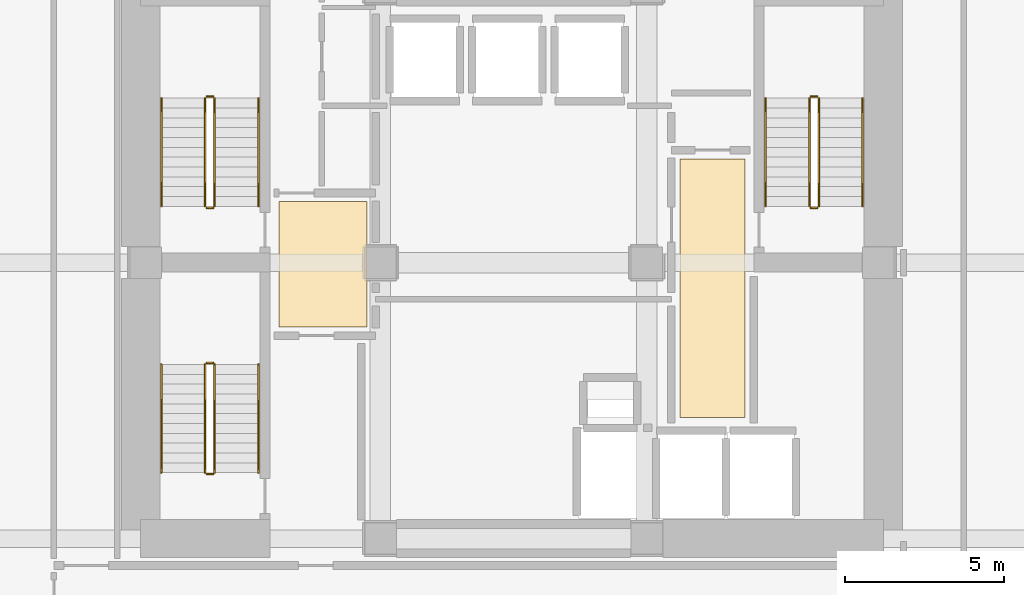
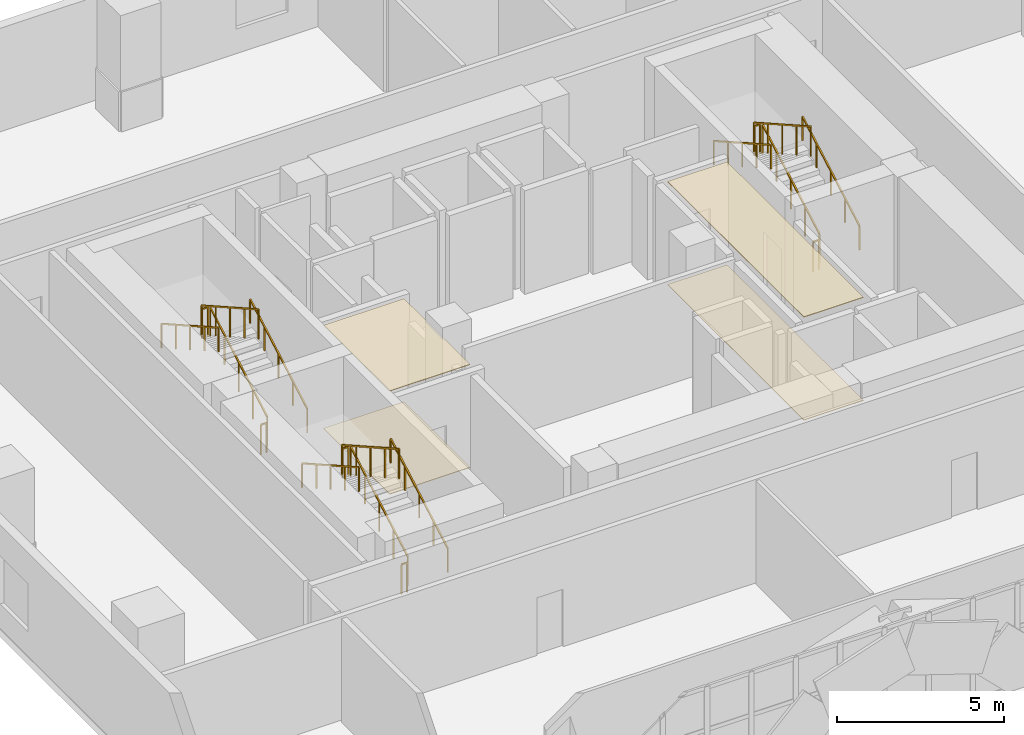
# One storey, part 20 of 22: 18 railings, 4 coverings.
"""IFC4 building model written with IfcOpenShell, lengths in metres."""

from ifc_helpers import new_model, si_unit, direction, frame, origin, origin_2d, place, context, subcontext, project, spatial, polyline, rectangle, outline, extrude, material, layer, layer_set, type_object, element, save


model = new_model("IFC4")

# Units and contexts
model_context = context("Model", 3, precision=1e-05, world=origin(), true_north=direction((0.0, 1.0)))
body_context = subcontext(model_context, "Body", "Model", "MODEL_VIEW")
ifc_project = project(units=[si_unit("LENGTHUNIT", "METRE"), si_unit("AREAUNIT", "SQUARE_METRE"), si_unit("VOLUMEUNIT", "CUBIC_METRE"), si_unit("PLANEANGLEUNIT", "RADIAN"), si_unit("MASSUNIT", "GRAM", prefix="KILO")], contexts=[model_context])

# Site, building, storey
site_placement = place(None, origin())
site = spatial("IfcSite", under=ifc_project, at=site_placement, CompositionType="ELEMENT")
building_placement = place(site_placement, origin())
building = spatial("IfcBuilding", under=site, at=building_placement, Name="Solanera Arch Residences", CompositionType="ELEMENT")
storey_placement = place(building_placement, frame((0.0, 0.0, 13.60009765625)))
storey = spatial("IfcBuildingStorey", under=building, at=storey_placement, Name="L03", CompositionType="ELEMENT", Elevation=13.60009765625)

# Coverings
ifc_material_1 = material(Name="Porcelain Acoustic Floor Tile", Category="ceramic")
ifc_layer_1 = layer(ifc_material_1, 0.02001953125)
ifc_layer_set_1 = layer_set([ifc_layer_1], Name="Porcelain Acoustic Floor Tile")
covering_type_1 = type_object("IfcCoveringType", Name="Porcelain Acoustic Floor Finish FLR-20", PredefinedType="FLOORING", material=ifc_layer_set_1)
covering_1_placement = place(storey_placement, origin())
element("IfcCovering", 1, at=covering_1_placement, inside=storey, type_object=covering_type_1, Name="L03-FFL-W Porcelain Floor Finish", PredefinedType="FLOORING", context=body_context, shape_type="SweptSolid", body=[
    extrude(outline(polyline([(20.375, 28.675048828125), (17.594970703125, 28.675048828125), (17.594970703125, 32.625), (20.375, 32.625), (20.375, 28.675048828125)])), origin(), (0.0, 0.0, 1.0), 0.02001953125),
])
covering_2_placement = place(storey_placement, origin())
element("IfcCovering", 2, at=covering_2_placement, inside=storey, type_object=covering_type_1, Name="L03-FFL-E Porcelain Floor Finish", PredefinedType="FLOORING", context=body_context, shape_type="SweptSolid", body=[
    extrude(outline(polyline([(32.304931640625, 25.824951171875), (30.25, 25.824951171875), (30.25, 33.97509765625), (32.304931640625, 33.97509765625), (32.304931640625, 25.824951171875)])), origin(), (0.0, 0.0, 1.0), 0.02001953125),
])

# Railings
ifc_material_2 = material(Name="Steel S355 (ASTM A992 / A572 Grade 50)", Category="steel")
railing_type_1 = type_object("IfcRailingType", Name="Stair Guardrail GR-1100", PredefinedType="GUARDRAIL", material=ifc_material_2)
railing_1_placement = place(storey_placement, frame((15.570068359375, 32.47998046875, 0.159912109375)))
element("IfcRailing", 3, at=railing_1_placement, inside=storey, type_object=railing_type_1, Name="L03 ST-T1 stair guard 1", PredefinedType="GUARDRAIL", context=body_context, shape_type="SweptSolid", body=[
    extrude(rectangle(XDim=0.048095703125, YDim=0.048095703125, at=origin_2d()), frame((0.0, 0.0, 1.076171875), z_axis=(0.0, 0.87081354652, 0.491613432685), x_axis=(-1.0, 0.0, 0.0)), (0.0, 0.0, 1.0), 3.915771484375),
    extrude(rectangle(XDim=0.0419921875, YDim=0.0419921875, at=origin_2d()), origin(), (0.0, 0.0, 1.0), 1.052001953125),
    extrude(rectangle(XDim=0.0419921875, YDim=0.0419921875, at=origin_2d()), frame((0.0, 0.8525390625, 0.481201171875)), (0.0, 0.0, 1.0), 1.052001953125),
    extrude(rectangle(XDim=0.0419921875, YDim=0.0419921875, at=origin_2d()), frame((0.0, 1.705078125, 0.96240234375)), (0.0, 0.0, 1.0), 1.052001953125),
    extrude(rectangle(XDim=0.0419921875, YDim=0.0419921875, at=origin_2d()), frame((0.0, 2.557373046875, 1.44384765625)), (0.0, 0.0, 1.0), 1.052001953125),
    extrude(rectangle(XDim=0.0419921875, YDim=0.0419921875, at=origin_2d()), frame((0.0, 3.409912109375, 1.925048828125)), (0.0, 0.0, 1.0), 1.052001953125),
])
railing_2_placement = place(storey_placement, frame((15.52001953125, 35.93994140625, 2.0849609375)))
element("IfcRailing", 4, at=railing_2_placement, inside=storey, type_object=railing_type_1, Name="L03 ST-T1 stair guard 2", PredefinedType="GUARDRAIL", context=body_context, shape_type="SweptSolid", body=[
    extrude(rectangle(XDim=0.048095703125, YDim=0.048095703125, at=origin_2d()), frame((0.0, 0.0, 1.076171875), z_axis=(-1.0, 0.0, 0.0), x_axis=(0.0, -1.0, 0.0)), (0.0, 0.0, 1.0), 0.199951171875),
    extrude(rectangle(XDim=0.0419921875, YDim=0.0419921875, at=origin_2d()), origin(), (0.0, 0.0, 1.0), 1.052001953125),
    extrude(rectangle(XDim=0.0419921875, YDim=0.0419921875, at=origin_2d()), frame((-0.199951171875, 0.0, 0.0)), (0.0, 0.0, 1.0), 1.052001953125),
])
railing_3_placement = place(storey_placement, frame((15.27001953125, 35.889892578125, 2.260009765625)))
element("IfcRailing", 5, at=railing_3_placement, inside=storey, type_object=railing_type_1, Name="L03 ST-T1 stair guard 3", PredefinedType="GUARDRAIL", context=body_context, shape_type="SweptSolid", body=[
    extrude(rectangle(XDim=0.048095703125, YDim=0.048095703125, at=origin_2d()), frame((0.0, 0.0, 1.076171875), z_axis=(0.0, -0.870840237431, 0.491566151064), x_axis=(1.0, 0.0, 0.0)), (0.0, 0.0, 1.0), 3.915771484375),
    extrude(rectangle(XDim=0.0419921875, YDim=0.0419921875, at=origin_2d()), origin(), (0.0, 0.0, 1.0), 1.052001953125),
    extrude(rectangle(XDim=0.0419921875, YDim=0.0419921875, at=origin_2d()), frame((0.0, -0.8525390625, 0.481201171875)), (0.0, 0.0, 1.0), 1.052001953125),
    extrude(rectangle(XDim=0.0419921875, YDim=0.0419921875, at=origin_2d()), frame((0.0, -1.705078125, 0.96240234375)), (0.0, 0.0, 1.0), 1.052001953125),
    extrude(rectangle(XDim=0.0419921875, YDim=0.0419921875, at=origin_2d()), frame((0.0, -2.557373046875, 1.443603515625)), (0.0, 0.0, 1.0), 1.052001953125),
    extrude(rectangle(XDim=0.0419921875, YDim=0.0419921875, at=origin_2d()), frame((0.0, -3.409912109375, 1.9248046875)), (0.0, 0.0, 1.0), 1.052001953125),
])
railing_4_placement = place(storey_placement, frame((15.52001953125, 32.429931640625, -0.01513671875)))
element("IfcRailing", 6, at=railing_4_placement, inside=storey, type_object=railing_type_1, Name="L03 ST-T1 stair guard 4", PredefinedType="GUARDRAIL", context=body_context, shape_type="SweptSolid", body=[
    extrude(rectangle(XDim=0.048095703125, YDim=0.048095703125, at=origin_2d()), frame((0.0, 0.0, 1.076171875), z_axis=(-1.0, 0.0, 0.0), x_axis=(0.0, -1.0, 0.0)), (0.0, 0.0, 1.0), 0.199951171875),
    extrude(rectangle(XDim=0.0419921875, YDim=0.0419921875, at=origin_2d()), origin(), (0.0, 0.0, 1.0), 1.052001953125),
    extrude(rectangle(XDim=0.0419921875, YDim=0.0419921875, at=origin_2d()), frame((-0.199951171875, 0.0, 0.0)), (0.0, 0.0, 1.0), 1.052001953125),
])
railing_5_placement = place(storey_placement, frame((34.6298828125, 32.47998046875, 0.159912109375)))
element("IfcRailing", 7, at=railing_5_placement, inside=storey, type_object=railing_type_1, Name="L03 ST-T2 stair guard 1", PredefinedType="GUARDRAIL", context=body_context, shape_type="SweptSolid", body=[
    extrude(rectangle(XDim=0.048095703125, YDim=0.048095703125, at=origin_2d()), frame((0.0, 0.0, 1.076171875), z_axis=(0.0, 0.87081354652, 0.491613432685), x_axis=(-1.0, 0.0, 0.0)), (0.0, 0.0, 1.0), 3.915771484375),
    extrude(rectangle(XDim=0.0419921875, YDim=0.0419921875, at=origin_2d()), origin(), (0.0, 0.0, 1.0), 1.052001953125),
    extrude(rectangle(XDim=0.0419921875, YDim=0.0419921875, at=origin_2d()), frame((0.0, 0.8525390625, 0.481201171875)), (0.0, 0.0, 1.0), 1.052001953125),
    extrude(rectangle(XDim=0.0419921875, YDim=0.0419921875, at=origin_2d()), frame((0.0, 1.705078125, 0.96240234375)), (0.0, 0.0, 1.0), 1.052001953125),
    extrude(rectangle(XDim=0.0419921875, YDim=0.0419921875, at=origin_2d()), frame((0.0, 2.557373046875, 1.44384765625)), (0.0, 0.0, 1.0), 1.052001953125),
    extrude(rectangle(XDim=0.0419921875, YDim=0.0419921875, at=origin_2d()), frame((0.0, 3.409912109375, 1.925048828125)), (0.0, 0.0, 1.0), 1.052001953125),
])
railing_6_placement = place(storey_placement, frame((34.580078125, 35.93994140625, 2.0849609375)))
element("IfcRailing", 8, at=railing_6_placement, inside=storey, type_object=railing_type_1, Name="L03 ST-T2 stair guard 2", PredefinedType="GUARDRAIL", context=body_context, shape_type="SweptSolid", body=[
    extrude(rectangle(XDim=0.048095703125, YDim=0.048095703125, at=origin_2d()), frame((0.0, 0.0, 1.076171875), z_axis=(-1.0, 0.0, 0.0), x_axis=(0.0, -1.0, 0.0)), (0.0, 0.0, 1.0), 0.2001953125),
    extrude(rectangle(XDim=0.0419921875, YDim=0.0419921875, at=origin_2d()), origin(), (0.0, 0.0, 1.0), 1.052001953125),
    extrude(rectangle(XDim=0.0419921875, YDim=0.0419921875, at=origin_2d()), frame((-0.2001953125, 0.0, 0.0)), (0.0, 0.0, 1.0), 1.052001953125),
])
railing_7_placement = place(storey_placement, frame((34.330078125, 35.889892578125, 2.260009765625)))
element("IfcRailing", 9, at=railing_7_placement, inside=storey, type_object=railing_type_1, Name="L03 ST-T2 stair guard 3", PredefinedType="GUARDRAIL", context=body_context, shape_type="SweptSolid", body=[
    extrude(rectangle(XDim=0.048095703125, YDim=0.048095703125, at=origin_2d()), frame((0.0, 0.0, 1.076171875), z_axis=(0.0, -0.870840237431, 0.491566151064), x_axis=(1.0, 0.0, 0.0)), (0.0, 0.0, 1.0), 3.915771484375),
    extrude(rectangle(XDim=0.0419921875, YDim=0.0419921875, at=origin_2d()), origin(), (0.0, 0.0, 1.0), 1.052001953125),
    extrude(rectangle(XDim=0.0419921875, YDim=0.0419921875, at=origin_2d()), frame((0.0, -0.8525390625, 0.481201171875)), (0.0, 0.0, 1.0), 1.052001953125),
    extrude(rectangle(XDim=0.0419921875, YDim=0.0419921875, at=origin_2d()), frame((0.0, -1.705078125, 0.96240234375)), (0.0, 0.0, 1.0), 1.052001953125),
    extrude(rectangle(XDim=0.0419921875, YDim=0.0419921875, at=origin_2d()), frame((0.0, -2.557373046875, 1.443603515625)), (0.0, 0.0, 1.0), 1.052001953125),
    extrude(rectangle(XDim=0.0419921875, YDim=0.0419921875, at=origin_2d()), frame((0.0, -3.409912109375, 1.9248046875)), (0.0, 0.0, 1.0), 1.052001953125),
])
railing_8_placement = place(storey_placement, frame((34.580078125, 32.429931640625, -0.01513671875)))
element("IfcRailing", 10, at=railing_8_placement, inside=storey, type_object=railing_type_1, Name="L03 ST-T2 stair guard 4", PredefinedType="GUARDRAIL", context=body_context, shape_type="SweptSolid", body=[
    extrude(rectangle(XDim=0.048095703125, YDim=0.048095703125, at=origin_2d()), frame((0.0, 0.0, 1.076171875), z_axis=(-1.0, 0.0, 0.0), x_axis=(0.0, -1.0, 0.0)), (0.0, 0.0, 1.0), 0.2001953125),
    extrude(rectangle(XDim=0.0419921875, YDim=0.0419921875, at=origin_2d()), origin(), (0.0, 0.0, 1.0), 1.052001953125),
    extrude(rectangle(XDim=0.0419921875, YDim=0.0419921875, at=origin_2d()), frame((-0.2001953125, 0.0, 0.0)), (0.0, 0.0, 1.0), 1.052001953125),
])
railing_9_placement = place(storey_placement, frame((15.570068359375, 24.080078125, 0.159912109375)))
element("IfcRailing", 11, at=railing_9_placement, inside=storey, type_object=railing_type_1, Name="L03 ST-T3 stair guard 1", PredefinedType="GUARDRAIL", context=body_context, shape_type="SweptSolid", body=[
    extrude(rectangle(XDim=0.048095703125, YDim=0.048095703125, at=origin_2d()), frame((0.0, 0.0, 1.076171875), z_axis=(0.0, 0.87081354652, 0.491613432685), x_axis=(-1.0, 0.0, 0.0)), (0.0, 0.0, 1.0), 3.915771484375),
    extrude(rectangle(XDim=0.0419921875, YDim=0.0419921875, at=origin_2d()), origin(), (0.0, 0.0, 1.0), 1.052001953125),
    extrude(rectangle(XDim=0.0419921875, YDim=0.0419921875, at=origin_2d()), frame((0.0, 0.8525390625, 0.481201171875)), (0.0, 0.0, 1.0), 1.052001953125),
    extrude(rectangle(XDim=0.0419921875, YDim=0.0419921875, at=origin_2d()), frame((0.0, 1.705078125, 0.96240234375)), (0.0, 0.0, 1.0), 1.052001953125),
    extrude(rectangle(XDim=0.0419921875, YDim=0.0419921875, at=origin_2d()), frame((0.0, 2.557373046875, 1.44384765625)), (0.0, 0.0, 1.0), 1.052001953125),
    extrude(rectangle(XDim=0.0419921875, YDim=0.0419921875, at=origin_2d()), frame((0.0, 3.409912109375, 1.925048828125)), (0.0, 0.0, 1.0), 1.052001953125),
])
railing_10_placement = place(storey_placement, frame((15.52001953125, 27.5400390625, 2.0849609375)))
element("IfcRailing", 12, at=railing_10_placement, inside=storey, type_object=railing_type_1, Name="L03 ST-T3 stair guard 2", PredefinedType="GUARDRAIL", context=body_context, shape_type="SweptSolid", body=[
    extrude(rectangle(XDim=0.048095703125, YDim=0.048095703125, at=origin_2d()), frame((0.0, 0.0, 1.076171875), z_axis=(-1.0, 0.0, 0.0), x_axis=(0.0, -1.0, 0.0)), (0.0, 0.0, 1.0), 0.199951171875),
    extrude(rectangle(XDim=0.0419921875, YDim=0.0419921875, at=origin_2d()), origin(), (0.0, 0.0, 1.0), 1.052001953125),
    extrude(rectangle(XDim=0.0419921875, YDim=0.0419921875, at=origin_2d()), frame((-0.199951171875, 0.0, 0.0)), (0.0, 0.0, 1.0), 1.052001953125),
])
railing_11_placement = place(storey_placement, frame((15.27001953125, 27.489990234375, 2.260009765625)))
element("IfcRailing", 13, at=railing_11_placement, inside=storey, type_object=railing_type_1, Name="L03 ST-T3 stair guard 3", PredefinedType="GUARDRAIL", context=body_context, shape_type="SweptSolid", body=[
    extrude(rectangle(XDim=0.048095703125, YDim=0.048095703125, at=origin_2d()), frame((0.0, 0.0, 1.076171875), z_axis=(0.0, -0.870840237431, 0.491566151064), x_axis=(1.0, 0.0, 0.0)), (0.0, 0.0, 1.0), 3.915771484375),
    extrude(rectangle(XDim=0.0419921875, YDim=0.0419921875, at=origin_2d()), origin(), (0.0, 0.0, 1.0), 1.052001953125),
    extrude(rectangle(XDim=0.0419921875, YDim=0.0419921875, at=origin_2d()), frame((0.0, -0.8525390625, 0.481201171875)), (0.0, 0.0, 1.0), 1.052001953125),
    extrude(rectangle(XDim=0.0419921875, YDim=0.0419921875, at=origin_2d()), frame((0.0, -1.705078125, 0.96240234375)), (0.0, 0.0, 1.0), 1.052001953125),
    extrude(rectangle(XDim=0.0419921875, YDim=0.0419921875, at=origin_2d()), frame((0.0, -2.557373046875, 1.443603515625)), (0.0, 0.0, 1.0), 1.052001953125),
    extrude(rectangle(XDim=0.0419921875, YDim=0.0419921875, at=origin_2d()), frame((0.0, -3.409912109375, 1.9248046875)), (0.0, 0.0, 1.0), 1.052001953125),
])
railing_12_placement = place(storey_placement, frame((15.52001953125, 24.030029296875, -0.01513671875)))
element("IfcRailing", 14, at=railing_12_placement, inside=storey, type_object=railing_type_1, Name="L03 ST-T3 stair guard 4", PredefinedType="GUARDRAIL", context=body_context, shape_type="SweptSolid", body=[
    extrude(rectangle(XDim=0.048095703125, YDim=0.048095703125, at=origin_2d()), frame((0.0, 0.0, 1.076171875), z_axis=(-1.0, 0.0, 0.0), x_axis=(0.0, -1.0, 0.0)), (0.0, 0.0, 1.0), 0.199951171875),
    extrude(rectangle(XDim=0.0419921875, YDim=0.0419921875, at=origin_2d()), origin(), (0.0, 0.0, 1.0), 1.052001953125),
    extrude(rectangle(XDim=0.0419921875, YDim=0.0419921875, at=origin_2d()), frame((-0.199951171875, 0.0, 0.0)), (0.0, 0.0, 1.0), 1.052001953125),
])
ifc_material_3 = material(Name="Steel S355 (ASTM A992 / A572 Grade 50)", Category="steel")
railing_type_2 = type_object("IfcRailingType", Name="Stair Wall Handrail HR-920", PredefinedType="HANDRAIL", material=ifc_material_3)
railing_13_placement = place(storey_placement, frame((16.949951171875, 32.47998046875, 0.1748046875)))
element("IfcRailing", 15, at=railing_13_placement, inside=storey, type_object=railing_type_2, Name="L03 ST-T1 stair handrail 1", PredefinedType="HANDRAIL", context=body_context, shape_type="SweptSolid", body=[
    extrude(rectangle(XDim=0.048095703125, YDim=0.048095703125, at=origin_2d()), frame((0.0, 0.0, 0.8759765625), z_axis=(0.0, 0.87081354652, 0.491613432685), x_axis=(-1.0, 0.0, 0.0)), (0.0, 0.0, 1.0), 3.915771484375),
    extrude(rectangle(XDim=0.0419921875, YDim=0.0419921875, at=origin_2d()), origin(), (0.0, 0.0, 1.0), 0.851806640625),
    extrude(rectangle(XDim=0.0419921875, YDim=0.0419921875, at=origin_2d()), frame((0.0, 0.8525390625, 0.481201171875)), (0.0, 0.0, 1.0), 0.851806640625),
    extrude(rectangle(XDim=0.0419921875, YDim=0.0419921875, at=origin_2d()), frame((0.0, 1.705078125, 0.96240234375)), (0.0, 0.0, 1.0), 0.851806640625),
    extrude(rectangle(XDim=0.0419921875, YDim=0.0419921875, at=origin_2d()), frame((0.0, 2.557373046875, 1.44384765625)), (0.0, 0.0, 1.0), 0.851806640625),
    extrude(rectangle(XDim=0.0419921875, YDim=0.0419921875, at=origin_2d()), frame((0.0, 3.409912109375, 1.925048828125)), (0.0, 0.0, 1.0), 0.851806640625),
])
railing_14_placement = place(storey_placement, frame((13.889892578125, 35.889892578125, 2.27490234375)))
element("IfcRailing", 16, at=railing_14_placement, inside=storey, type_object=railing_type_2, Name="L03 ST-T1 stair handrail 2", PredefinedType="HANDRAIL", context=body_context, shape_type="SweptSolid", body=[
    extrude(rectangle(XDim=0.048095703125, YDim=0.048095703125, at=origin_2d()), frame((0.0, 0.0, 0.8759765625), z_axis=(0.0, -0.87081354652, 0.491613432685), x_axis=(1.0, 0.0, 0.0)), (0.0, 0.0, 1.0), 3.915771484375),
    extrude(rectangle(XDim=0.0419921875, YDim=0.0419921875, at=origin_2d()), origin(), (0.0, 0.0, 1.0), 0.851806640625),
    extrude(rectangle(XDim=0.0419921875, YDim=0.0419921875, at=origin_2d()), frame((0.0, -0.8525390625, 0.481201171875)), (0.0, 0.0, 1.0), 0.851806640625),
    extrude(rectangle(XDim=0.0419921875, YDim=0.0419921875, at=origin_2d()), frame((0.0, -1.705078125, 0.96240234375)), (0.0, 0.0, 1.0), 0.851806640625),
    extrude(rectangle(XDim=0.0419921875, YDim=0.0419921875, at=origin_2d()), frame((0.0, -2.557373046875, 1.44384765625)), (0.0, 0.0, 1.0), 0.851806640625),
    extrude(rectangle(XDim=0.0419921875, YDim=0.0419921875, at=origin_2d()), frame((0.0, -3.409912109375, 1.925048828125)), (0.0, 0.0, 1.0), 0.851806640625),
])
railing_15_placement = place(storey_placement, frame((36.010009765625, 32.47998046875, 0.1748046875)))
element("IfcRailing", 17, at=railing_15_placement, inside=storey, type_object=railing_type_2, Name="L03 ST-T2 stair handrail 1", PredefinedType="HANDRAIL", context=body_context, shape_type="SweptSolid", body=[
    extrude(rectangle(XDim=0.048095703125, YDim=0.048095703125, at=origin_2d()), frame((0.0, 0.0, 0.8759765625), z_axis=(0.0, 0.87081354652, 0.491613432685), x_axis=(-1.0, 0.0, 0.0)), (0.0, 0.0, 1.0), 3.915771484375),
    extrude(rectangle(XDim=0.0419921875, YDim=0.0419921875, at=origin_2d()), origin(), (0.0, 0.0, 1.0), 0.851806640625),
    extrude(rectangle(XDim=0.0419921875, YDim=0.0419921875, at=origin_2d()), frame((0.0, 0.8525390625, 0.481201171875)), (0.0, 0.0, 1.0), 0.851806640625),
    extrude(rectangle(XDim=0.0419921875, YDim=0.0419921875, at=origin_2d()), frame((0.0, 1.705078125, 0.96240234375)), (0.0, 0.0, 1.0), 0.851806640625),
    extrude(rectangle(XDim=0.0419921875, YDim=0.0419921875, at=origin_2d()), frame((0.0, 2.557373046875, 1.44384765625)), (0.0, 0.0, 1.0), 0.851806640625),
    extrude(rectangle(XDim=0.0419921875, YDim=0.0419921875, at=origin_2d()), frame((0.0, 3.409912109375, 1.925048828125)), (0.0, 0.0, 1.0), 0.851806640625),
])
railing_16_placement = place(storey_placement, frame((32.949951171875, 35.889892578125, 2.27490234375)))
element("IfcRailing", 18, at=railing_16_placement, inside=storey, type_object=railing_type_2, Name="L03 ST-T2 stair handrail 2", PredefinedType="HANDRAIL", context=body_context, shape_type="SweptSolid", body=[
    extrude(rectangle(XDim=0.048095703125, YDim=0.048095703125, at=origin_2d()), frame((0.0, 0.0, 0.8759765625), z_axis=(0.0, -0.87081354652, 0.491613432685), x_axis=(1.0, 0.0, 0.0)), (0.0, 0.0, 1.0), 3.915771484375),
    extrude(rectangle(XDim=0.0419921875, YDim=0.0419921875, at=origin_2d()), origin(), (0.0, 0.0, 1.0), 0.851806640625),
    extrude(rectangle(XDim=0.0419921875, YDim=0.0419921875, at=origin_2d()), frame((0.0, -0.8525390625, 0.481201171875)), (0.0, 0.0, 1.0), 0.851806640625),
    extrude(rectangle(XDim=0.0419921875, YDim=0.0419921875, at=origin_2d()), frame((0.0, -1.705078125, 0.96240234375)), (0.0, 0.0, 1.0), 0.851806640625),
    extrude(rectangle(XDim=0.0419921875, YDim=0.0419921875, at=origin_2d()), frame((0.0, -2.557373046875, 1.44384765625)), (0.0, 0.0, 1.0), 0.851806640625),
    extrude(rectangle(XDim=0.0419921875, YDim=0.0419921875, at=origin_2d()), frame((0.0, -3.409912109375, 1.925048828125)), (0.0, 0.0, 1.0), 0.851806640625),
])
railing_17_placement = place(storey_placement, frame((16.949951171875, 24.080078125, 0.1748046875)))
element("IfcRailing", 19, at=railing_17_placement, inside=storey, type_object=railing_type_2, Name="L03 ST-T3 stair handrail 1", PredefinedType="HANDRAIL", context=body_context, shape_type="SweptSolid", body=[
    extrude(rectangle(XDim=0.048095703125, YDim=0.048095703125, at=origin_2d()), frame((0.0, 0.0, 0.8759765625), z_axis=(0.0, 0.87081354652, 0.491613432685), x_axis=(-1.0, 0.0, 0.0)), (0.0, 0.0, 1.0), 3.915771484375),
    extrude(rectangle(XDim=0.0419921875, YDim=0.0419921875, at=origin_2d()), origin(), (0.0, 0.0, 1.0), 0.851806640625),
    extrude(rectangle(XDim=0.0419921875, YDim=0.0419921875, at=origin_2d()), frame((0.0, 0.8525390625, 0.481201171875)), (0.0, 0.0, 1.0), 0.851806640625),
    extrude(rectangle(XDim=0.0419921875, YDim=0.0419921875, at=origin_2d()), frame((0.0, 1.705078125, 0.96240234375)), (0.0, 0.0, 1.0), 0.851806640625),
    extrude(rectangle(XDim=0.0419921875, YDim=0.0419921875, at=origin_2d()), frame((0.0, 2.557373046875, 1.44384765625)), (0.0, 0.0, 1.0), 0.851806640625),
    extrude(rectangle(XDim=0.0419921875, YDim=0.0419921875, at=origin_2d()), frame((0.0, 3.409912109375, 1.925048828125)), (0.0, 0.0, 1.0), 0.851806640625),
])
railing_18_placement = place(storey_placement, frame((13.889892578125, 27.489990234375, 2.27490234375)))
element("IfcRailing", 20, at=railing_18_placement, inside=storey, type_object=railing_type_2, Name="L03 ST-T3 stair handrail 2", PredefinedType="HANDRAIL", context=body_context, shape_type="SweptSolid", body=[
    extrude(rectangle(XDim=0.048095703125, YDim=0.048095703125, at=origin_2d()), frame((0.0, 0.0, 0.8759765625), z_axis=(0.0, -0.87081354652, 0.491613432685), x_axis=(1.0, 0.0, 0.0)), (0.0, 0.0, 1.0), 3.915771484375),
    extrude(rectangle(XDim=0.0419921875, YDim=0.0419921875, at=origin_2d()), origin(), (0.0, 0.0, 1.0), 0.851806640625),
    extrude(rectangle(XDim=0.0419921875, YDim=0.0419921875, at=origin_2d()), frame((0.0, -0.8525390625, 0.481201171875)), (0.0, 0.0, 1.0), 0.851806640625),
    extrude(rectangle(XDim=0.0419921875, YDim=0.0419921875, at=origin_2d()), frame((0.0, -1.705078125, 0.96240234375)), (0.0, 0.0, 1.0), 0.851806640625),
    extrude(rectangle(XDim=0.0419921875, YDim=0.0419921875, at=origin_2d()), frame((0.0, -2.557373046875, 1.44384765625)), (0.0, 0.0, 1.0), 0.851806640625),
    extrude(rectangle(XDim=0.0419921875, YDim=0.0419921875, at=origin_2d()), frame((0.0, -3.409912109375, 1.925048828125)), (0.0, 0.0, 1.0), 0.851806640625),
])

# Coverings
ifc_material_4 = material(Name="Mineral Fibre Acoustic Ceiling Board", Category="gypsum")
ifc_layer_2 = layer(ifc_material_4, 0.02490234375)
ifc_layer_set_2 = layer_set([ifc_layer_2], Name="Mineral Fibre Acoustic Ceiling Board")
covering_type_2 = type_object("IfcCoveringType", Name="Suspended Acoustic Ceiling Board CLG-25", PredefinedType="CEILING", material=ifc_layer_set_2)
covering_3_placement = place(storey_placement, frame((0.0, 0.0, 3.7548828125)))
element("IfcCovering", 21, at=covering_3_placement, inside=storey, type_object=covering_type_2, Name="L03-FFL-W Acoustic Ceiling", PredefinedType="CEILING", context=body_context, shape_type="SweptSolid", body=[
    extrude(outline(polyline([(20.375, 28.675048828125), (17.594970703125, 28.675048828125), (17.594970703125, 32.625), (20.375, 32.625), (20.375, 28.675048828125)])), origin(), (0.0, 0.0, 1.0), 0.02490234375),
])
covering_4_placement = place(storey_placement, frame((0.0, 0.0, 3.7548828125)))
element("IfcCovering", 22, at=covering_4_placement, inside=storey, type_object=covering_type_2, Name="L03-FFL-E Acoustic Ceiling", PredefinedType="CEILING", context=body_context, shape_type="SweptSolid", body=[
    extrude(outline(polyline([(32.304931640625, 25.824951171875), (30.25, 25.824951171875), (30.25, 33.97509765625), (32.304931640625, 33.97509765625), (32.304931640625, 25.824951171875)])), origin(), (0.0, 0.0, 1.0), 0.02490234375),
])

save(model, "model.ifc")
